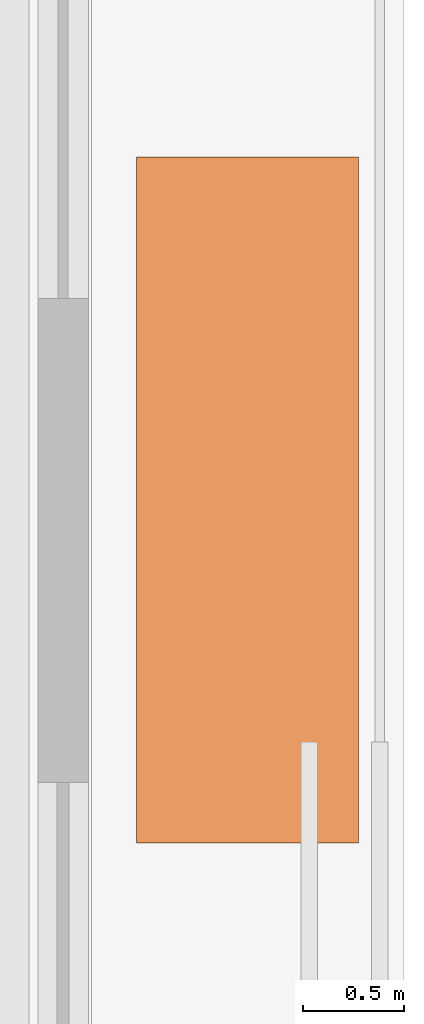
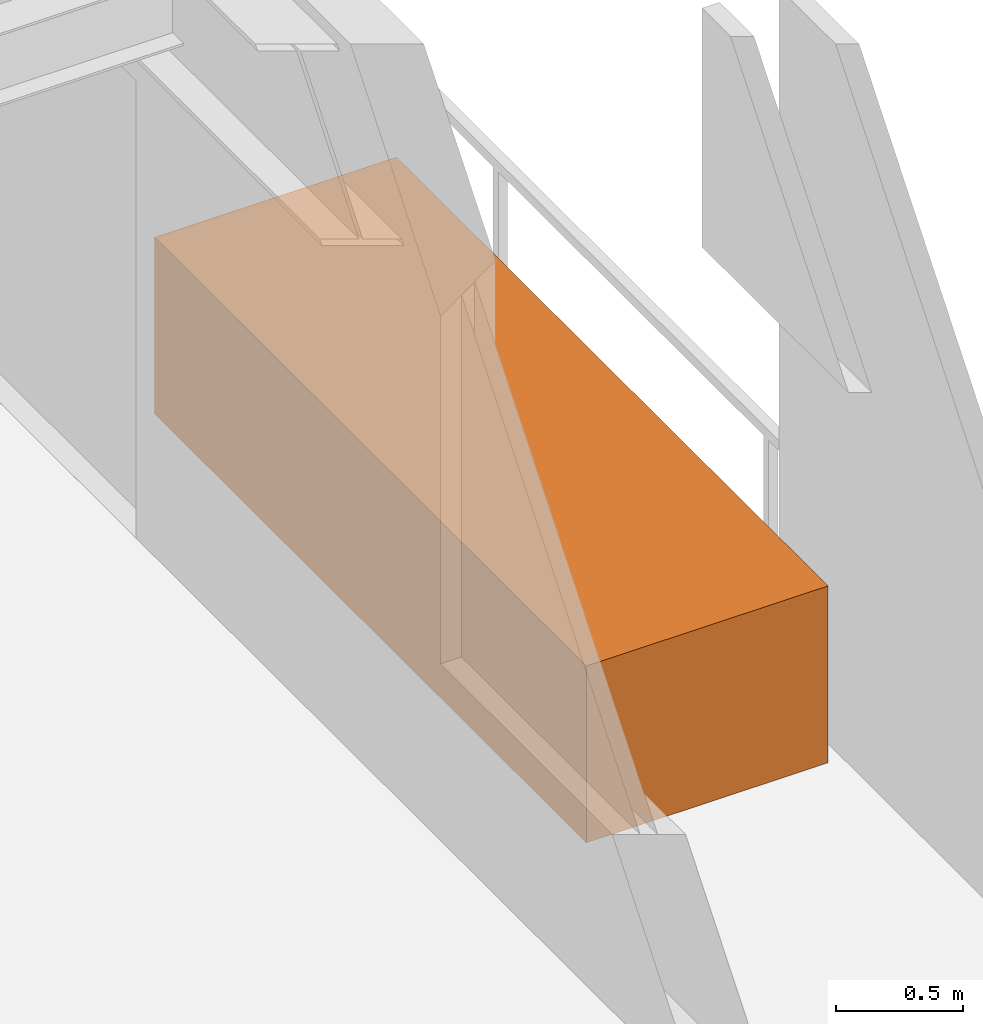
# One storey, part 33 of 33: 1 proxy.
"""IFC4 building model written with IfcOpenShell, lengths in metres."""

from ifc_helpers import new_model, si_unit, direction, frame, origin, origin_2d, place, context, subcontext, project, spatial, rectangle, extrude, material, type_object, element, save


model = new_model("IFC4")

# Units and contexts
model_context = context("Model", 3, precision=1e-05, world=origin(), true_north=direction((0.0, 1.0)))
body_context = subcontext(model_context, "Body", "Model", "MODEL_VIEW")
ifc_project = project(units=[si_unit("LENGTHUNIT", "METRE"), si_unit("AREAUNIT", "SQUARE_METRE"), si_unit("VOLUMEUNIT", "CUBIC_METRE"), si_unit("PLANEANGLEUNIT", "RADIAN"), si_unit("MASSUNIT", "GRAM", prefix="KILO")], contexts=[model_context])

# Site, building, storey
site_placement = place(None, origin())
site = spatial("IfcSite", under=ifc_project, at=site_placement, CompositionType="ELEMENT")
building_placement = place(site_placement, origin())
building = spatial("IfcBuilding", under=site, at=building_placement, Name="Brelmoor Portico Tower", CompositionType="ELEMENT")
storey_placement = place(building_placement, frame((0.0, 0.0, 194.699951171875)))
storey = spatial("IfcBuildingStorey", under=building, at=storey_placement, Name="L51", CompositionType="ELEMENT", Elevation=194.699951171875)

# Proxy
ifc_material = material(Name="Architectural Precast Concrete C40", Category="concrete")
building_element_proxy_type = type_object("IfcBuildingElementProxyType", Name="TREE PLANTER", PredefinedType="USERDEFINED", material=ifc_material)
proxy_placement = place(storey_placement, frame((21.77490234375, -3.39990234375, 0.0), z_axis=(0.0, 0.0, 1.0), x_axis=(0.0, 1.0, 0.0)))
element("IfcBuildingElementProxy", 1, at=proxy_placement, inside=storey, type_object=building_element_proxy_type, Name="L51 Planted Tree Planter E", ObjectType="PLANTER", PredefinedType="USERDEFINED", context=body_context, shape_type="SweptSolid", body=[
    extrude(rectangle(XDim=3.39990234375, YDim=1.10009765625, at=origin_2d()), origin(), (0.0, 0.0, 1.0), 0.85009765625),
])

save(model, "model.ifc")
